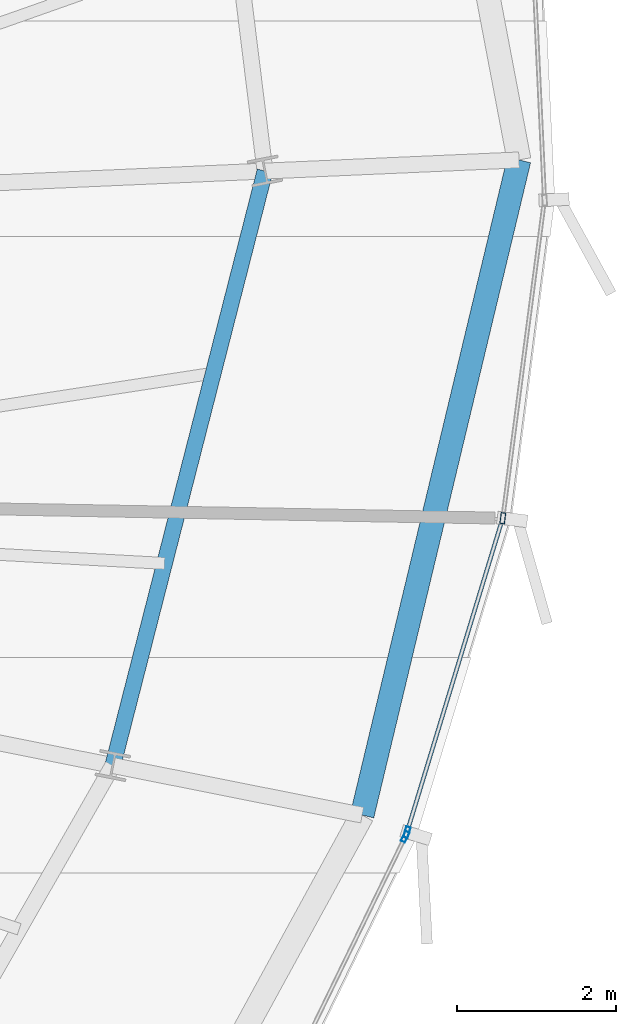
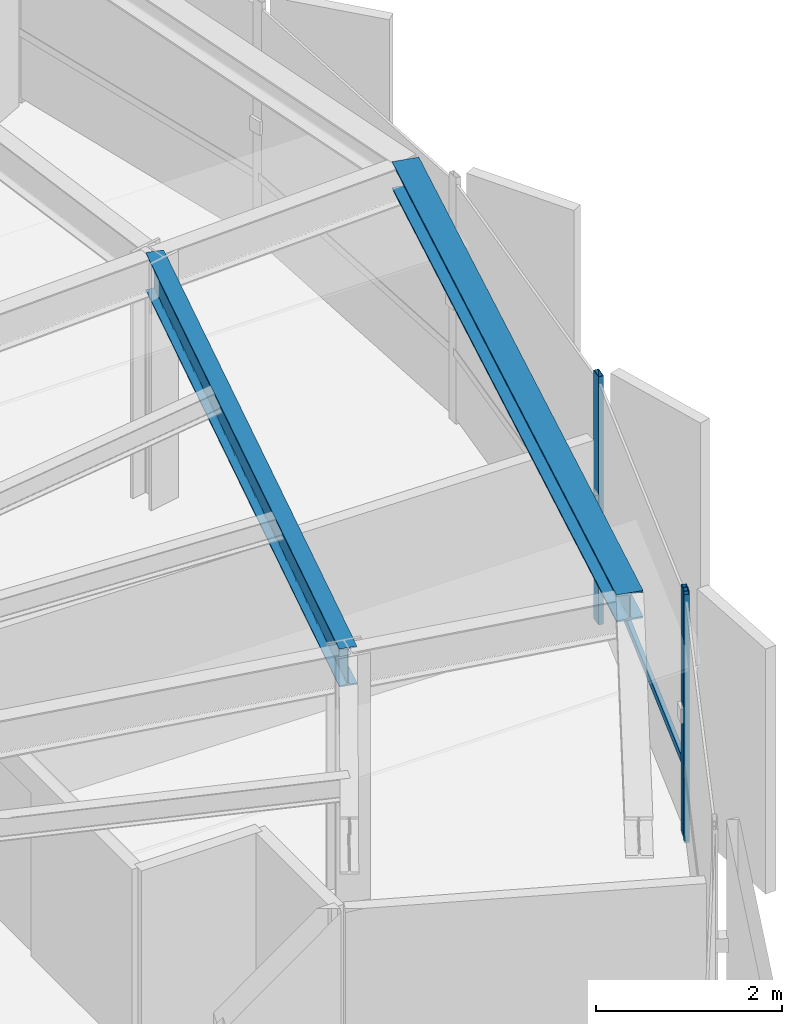
# One storey, part 15 of 34: 4 members, 2 beams, 2 elements without a shape of their own.
"""IFC4 building model written with IfcOpenShell, lengths in metres."""

from ifc_helpers import new_model, si_unit, direction, frame, origin, origin_2d, place, context, subcontext, project, spatial, hollow_rectangle, i_section, extrude, source, transform, mapped, material, layer, layer_set, material_profile, profile_set, type_object, element, aggregate, save


model = new_model("IFC4")

# Units and contexts
model_context = context("Model", 3, precision=1e-05, world=origin(), true_north=direction((0.0, 1.0)))
body_context = subcontext(model_context, "Body", "Model", "MODEL_VIEW")
ifc_project = project(units=[si_unit("LENGTHUNIT", "METRE"), si_unit("AREAUNIT", "SQUARE_METRE"), si_unit("VOLUMEUNIT", "CUBIC_METRE"), si_unit("PLANEANGLEUNIT", "RADIAN"), si_unit("MASSUNIT", "GRAM", prefix="KILO"), si_unit("THERMODYNAMICTEMPERATUREUNIT", "KELVIN")], contexts=[model_context])

# Site, building, storey
site_placement = place(None, origin())
site = spatial("IfcSite", under=ifc_project, at=site_placement, CompositionType="ELEMENT")
building_placement = place(site_placement, origin())
building = spatial("IfcBuilding", under=site, at=building_placement, Name="Kethvar Cultural Tower", CompositionType="ELEMENT")
storey_placement = place(building_placement, frame((0.0, 0.0, 207.89990234375)))
storey = spatial("IfcBuildingStorey", under=building, at=storey_placement, Name="L54", CompositionType="ELEMENT", Elevation=207.89990234375)

# Beams
ifc_material_1 = material(Name="Steel S355J2", Category="steel")
ifc_material_profile_1 = material_profile(ifc_material_1, i_section(OverallWidth=0.199951171875, OverallDepth=0.5, WebThickness=0.01025390625, FlangeThickness=0.01611328125, FilletRadius=0.02099609375, at=origin_2d()), Name="Steel S355J2 — IPE500")
ifc_profile_set_1 = profile_set([ifc_material_profile_1], Name="Steel S355J2 — IPE500")
beam_type_1 = type_object("IfcBeamType", Name="BM-IPE500", PredefinedType="BEAM", material=ifc_profile_set_1)
shared_shape_1 = source(origin(), body_context, "Body", "SweptSolid", [
    extrude(i_section(OverallWidth=0.199951171875, OverallDepth=0.5, WebThickness=0.01025390625, FlangeThickness=0.01611328125, FilletRadius=0.02099609375, at=origin_2d()), origin(), (0.0, 0.0, 1.0), 7.72265625),
])
beam_1_placement = place(storey_placement, frame((64.648681640625, 24.249755859375, 3.008056640625), z_axis=(0.248006445258, 0.968758382214, 0.0), x_axis=(-0.968758382214, 0.248006445258, 0.0)))
element("IfcBeam", 1, at=beam_1_placement, inside=storey, type_object=beam_type_1, Name="L54 Column Ring Tie Beam CR-16", PredefinedType="BEAM", context=body_context, shape_type="MappedRepresentation", body=[
    mapped(shared_shape_1, transform((0.0, 0.0, 0.0), scale=1.0)),
])
ifc_material_profile_2 = material_profile(ifc_material_1, i_section(OverallWidth=0.300048828125, OverallDepth=0.360107421875, WebThickness=0.012451171875, FlangeThickness=0.0224609375, FilletRadius=0.027099609375, at=origin_2d()), Name="Steel S355J2 — HEB360")
ifc_profile_set_2 = profile_set([ifc_material_profile_2], Name="Steel S355J2 — HEB360")
beam_type_2 = type_object("IfcBeamType", Name="BM-SP360", PredefinedType="SPANDREL", material=ifc_profile_set_2)
shared_shape_2 = source(origin(), body_context, "Body", "SweptSolid", [
    extrude(i_section(OverallWidth=0.300048828125, OverallDepth=0.360107421875, WebThickness=0.012451171875, FlangeThickness=0.0224609375, FilletRadius=0.027099609375, at=origin_2d()), origin(), (0.0, 0.0, 1.0), 8.47900390625),
])
beam_2_placement = place(storey_placement, frame((67.787109375, 23.62548828125, 3.078125), z_axis=(0.232794647368, 0.97252591336, 0.0), x_axis=(-0.97252591336, 0.232794647368, 0.0)))
element("IfcBeam", 2, at=beam_2_placement, inside=storey, type_object=beam_type_2, Name="L54 Perimeter Spandrel Beam SP-16", PredefinedType="SPANDREL", context=body_context, shape_type="MappedRepresentation", body=[
    mapped(shared_shape_2, transform((0.0, 0.0, 0.0), scale=1.0)),
])

# Curtain wall, member
ifc_material_2 = material(Name="Aluminium 6063-T6", Category="aluminium")
ifc_layer = layer(ifc_material_2, 0.179931640625, Name="Aluminium 6063-T6", Category="aluminium")
ifc_layer_set = layer_set([ifc_layer], Name="Aluminium 6063-T6 (180 mm)")
curtain_wall_type = type_object("IfcCurtainWallType", Name="CW-SYS-04-Z34", PredefinedType="NOTDEFINED", material=ifc_layer_set)
curtain_wall_1_placement = place(storey_placement, origin())
curtain_wall_1 = element("IfcCurtainWall", 3, at=curtain_wall_1_placement, inside=storey, type_object=curtain_wall_type, Name="L54 Curtain Wall Run 05", PredefinedType="NOTDEFINED")
ifc_material_profile_3 = material_profile(ifc_material_2, hollow_rectangle(XDim=0.06005859375, YDim=0.139892578125, WallThickness=0.0048828125, at=origin_2d()), Name="Aluminium 6063-T6 — RHS140x60x5")
ifc_profile_set_3 = profile_set([ifc_material_profile_3], Name="Aluminium 6063-T6 — RHS140x60x5")
member_type_1 = type_object("IfcMemberType", Name="CW-SYS-04-Z34-MUL", PredefinedType="MULLION", material=ifc_profile_set_3)
shared_shape_3 = source(origin(), body_context, "Body", "SweptSolid", [
    extrude(hollow_rectangle(XDim=0.06005859375, YDim=0.139892578125, WallThickness=0.0048828125, at=origin_2d()), origin(), (0.0, 0.0, 1.0), 3.260009765625),
])
member_1_placement = place(storey_placement, frame((68.3291015625, 23.3525390625, 0.0), z_axis=(0.0, 0.0, 1.0), x_axis=(-0.899717814747, 0.43647205389, 0.0)))
member_1 = element("IfcMember", 4, at=member_1_placement, type_object=member_type_1, Name="CW-L54-R05 Mullion 7", PredefinedType="MULLION", context=body_context, shape_type="MappedRepresentation", body=[
    mapped(shared_shape_3, transform((0.0, 0.0, 0.0), scale=1.0)),
])
aggregate(curtain_wall_1, [member_1])

# Curtain wall, members
curtain_wall_2_placement = place(storey_placement, origin())
curtain_wall_2 = element("IfcCurtainWall", 5, at=curtain_wall_2_placement, inside=storey, type_object=curtain_wall_type, Name="L54 Curtain Wall Run 06", PredefinedType="NOTDEFINED")
member_2_placement = place(storey_placement, frame((68.35107421875, 23.4091796875, 0.0), z_axis=(0.0, 0.0, 1.0), x_axis=(-0.956584972007, 0.291453583493, 0.0)))
member_2 = element("IfcMember", 6, at=member_2_placement, type_object=member_type_1, Name="CW-L54-R06 Mullion 1", PredefinedType="MULLION", context=body_context, shape_type="MappedRepresentation", body=[
    mapped(shared_shape_3, transform((0.0, 0.0, 0.0), scale=1.0)),
])
member_3_placement = place(storey_placement, frame((69.55712890625, 27.3623046875, 0.0), z_axis=(0.0, 0.0, 1.0), x_axis=(-0.991547070608, 0.129747473069, 0.0)))
member_3 = element("IfcMember", 7, at=member_3_placement, type_object=member_type_1, Name="CW-L54-R06 Mullion 2", PredefinedType="MULLION", context=body_context, shape_type="MappedRepresentation", body=[
    mapped(shared_shape_3, transform((0.0, 0.0, 0.0), scale=1.0)),
])
ifc_material_profile_4 = material_profile(ifc_material_2, hollow_rectangle(XDim=0.050048828125, YDim=0.10009765625, WallThickness=0.00390625, at=origin_2d()), Name="Aluminium 6063-T6 — RHS100x50x4")
ifc_profile_set_4 = profile_set([ifc_material_profile_4], Name="Aluminium 6063-T6 — RHS100x50x4")
member_type_2 = type_object("IfcMemberType", Name="CW-SYS-04-Z34-TRN", PredefinedType="USERDEFINED", material=ifc_profile_set_4)
shared_shape_4 = source(origin(), body_context, "Body", "SweptSolid", [
    extrude(hollow_rectangle(XDim=0.050048828125, YDim=0.10009765625, WallThickness=0.00390625, at=origin_2d()), origin(), (0.0, 0.0, 1.0), 4.103759765625),
])
member_4_placement = place(storey_placement, frame((68.352294921875, 23.4130859375, 0.9501953125), z_axis=(0.291455154711, 0.956584493284, 0.0), x_axis=(-0.956584493284, 0.291455154711, 0.0)))
member_4 = element("IfcMember", 8, at=member_4_placement, type_object=member_type_2, Name="CW-L54-R06 Transom 1", ObjectType="TRANSOM", PredefinedType="USERDEFINED", context=body_context, shape_type="MappedRepresentation", body=[
    mapped(shared_shape_4, transform((0.0, 0.0, 0.0), scale=1.0)),
])
aggregate(curtain_wall_2, [member_2, member_3, member_4])

save(model, "model.ifc")
